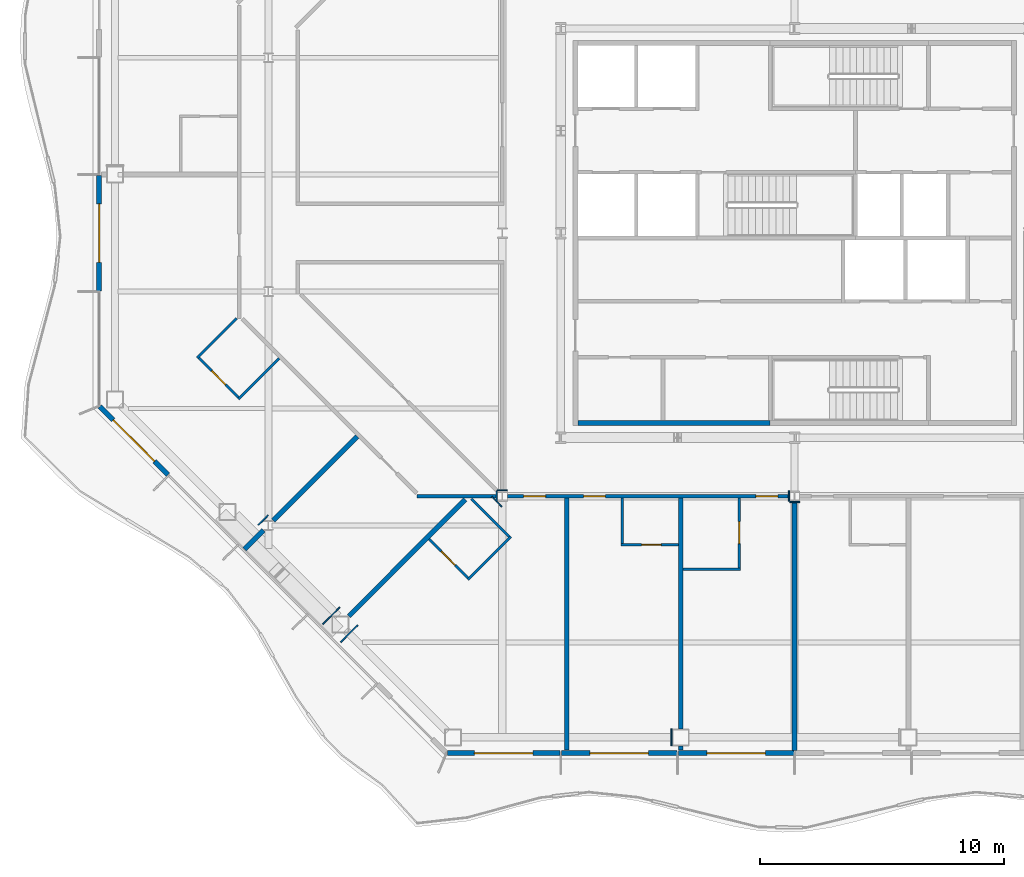
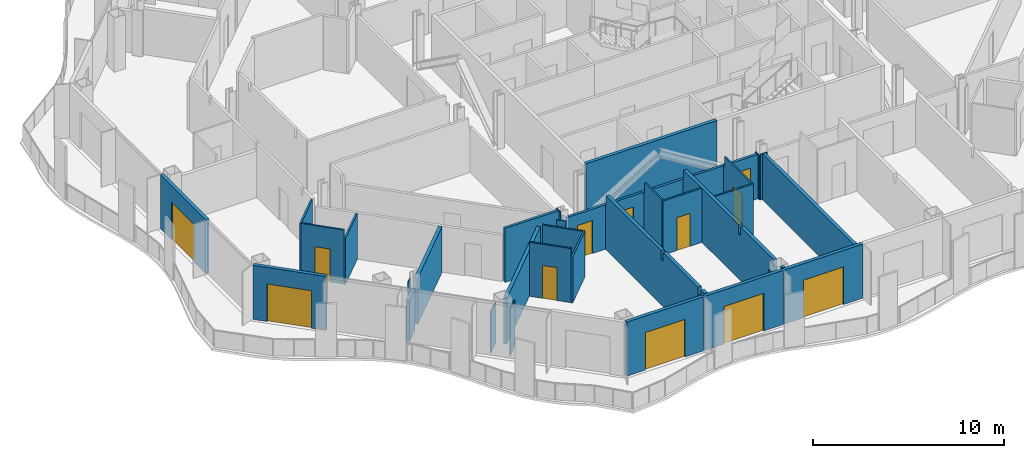
# One storey, part 7 of 21: 34 walls, 12 doors, 12 openings.
"""IFC4 building model written with IfcOpenShell, lengths in metres."""

from ifc_helpers import new_model, si_unit, direction, frame, frame_2d, origin, place, context, subcontext, project, spatial, polyline, rectangle, outline, extrude, material, layer, layer_set, type_object, element, fill, save


model = new_model("IFC4")

# Units and contexts
model_context = context("Model", 3, precision=1e-05, world=origin(), true_north=direction((0.0, 1.0)))
body_context = subcontext(model_context, "Body", "Model", "MODEL_VIEW")
ifc_project = project(units=[si_unit("LENGTHUNIT", "METRE"), si_unit("AREAUNIT", "SQUARE_METRE"), si_unit("VOLUMEUNIT", "CUBIC_METRE"), si_unit("PLANEANGLEUNIT", "RADIAN"), si_unit("MASSUNIT", "GRAM", prefix="KILO")], contexts=[model_context])

# Site, building, storey
site_placement = place(None, origin())
site = spatial("IfcSite", under=ifc_project, at=site_placement, CompositionType="ELEMENT")
building_placement = place(site_placement, origin())
building = spatial("IfcBuilding", under=site, at=building_placement, Name="Cairn Pilgrim Tower", CompositionType="ELEMENT")
storey_placement = place(building_placement, frame((0.0, 0.0, 143.39990234375)))
storey = spatial("IfcBuildingStorey", under=building, at=storey_placement, Name="L35", CompositionType="ELEMENT", Elevation=143.39990234375)

# Wall, opening, door
ifc_material_1 = material(Name="Bronze anodised aluminium insulated sandwich panel with mineral wool fill", Category="aluminium")
ifc_layer_1 = layer(ifc_material_1, 0.199951171875)
ifc_layer_set_1 = layer_set([ifc_layer_1], Name="BRONZE INFILL FRAME WALL 200")
wall_type_1 = type_object("IfcWallType", Name="BRONZE INFILL FRAME WALL 200", PredefinedType="NOTDEFINED", material=ifc_layer_set_1)
wall_1_placement = place(storey_placement, frame((-7.056396484375, -18.949951171875, 0.0), z_axis=(0.0, 0.0, 1.0), x_axis=(1.0, 0.0, 0.0)))
wall_1 = element("IfcWall", 1, at=wall_1_placement, inside=storey, type_object=wall_type_1, Name="Bronze infill frame wall IW-S1", PredefinedType="NOTDEFINED", context=body_context, shape_type="SweptSolid", body=[
    extrude(rectangle(XDim=4.62646484375, YDim=0.199951171875, at=frame_2d((2.313232421875, 0.0))), origin(), (0.0, 0.0, 1.0), 3.4501953125),
])
opening_1_placement = place(wall_1_placement, frame((1.1083984375, 0.0, 0.0)))
opening_1 = element("IfcOpeningElement", 2, at=opening_1_placement, cuts=wall_1, Name="Opening 3520B", PredefinedType="OPENING", context=body_context, shape_type="SweptSolid", body=[
    extrude(rectangle(XDim=2.39990234375, YDim=2.39990234375, at=frame_2d((1.199951171875, 1.199951171875))), frame((0.0, 0.10986328125, 0.0), z_axis=(0.0, -1.0, 0.0), x_axis=(1.0, 0.0, 0.0)), (0.0, 0.0, 1.0), 0.219970703125),
])
ifc_material_2 = material(Name="Bronze anodised aluminium frame with tinted low-E glass", Category="aluminium")
door_type_1 = type_object("IfcDoorType", Name="BALCONY SLIDING DOOR 2400x2400", OperationType="DOUBLE_DOOR_SLIDING", PredefinedType="DOOR", material=ifc_material_2)
door_1_placement = place(opening_1_placement, origin())
door_1 = element("IfcDoor", 3, at=door_1_placement, inside=storey, type_object=door_type_1, Name="Balcony sliding door 3520B", OperationType="SINGLE_SWING_LEFT", OverallHeight=2.39990234375, OverallWidth=2.39990234375, PredefinedType="DOOR", context=body_context, shape_type="SweptSolid", body=[
    extrude(rectangle(XDim=2.39990234375, YDim=2.39990234375, at=frame_2d((1.199951171875, 1.199951171875))), frame((0.0, 0.02490234375, 0.0), z_axis=(0.0, -1.0, 0.0), x_axis=(1.0, 0.0, 0.0)), (0.0, 0.0, 1.0), 0.050048828125),
])
fill(opening_1, door_1)

wall_2_placement = place(storey_placement, frame((-2.3701171875, -18.949951171875, 0.0), z_axis=(0.0, 0.0, 1.0), x_axis=(1.0, 0.0, 0.0)))
wall_2 = element("IfcWall", 4, at=wall_2_placement, inside=storey, type_object=wall_type_1, Name="Bronze infill frame wall IW-S2", PredefinedType="NOTDEFINED", context=body_context, shape_type="SweptSolid", body=[
    extrude(rectangle(XDim=4.740234375, YDim=0.199951171875, at=frame_2d((2.3701171875, 0.0))), origin(), (0.0, 0.0, 1.0), 3.4501953125),
])
opening_2_placement = place(wall_2_placement, frame((1.16943359375, 0.0, 0.0)))
opening_2 = element("IfcOpeningElement", 5, at=opening_2_placement, cuts=wall_2, Name="Opening 3521B", PredefinedType="OPENING", context=body_context, shape_type="SweptSolid", body=[
    extrude(rectangle(XDim=2.39990234375, YDim=2.39990234375, at=frame_2d((1.199951171875, 1.199951171875))), frame((0.0, 0.10986328125, 0.0), z_axis=(0.0, -1.0, 0.0), x_axis=(1.0, 0.0, 0.0)), (0.0, 0.0, 1.0), 0.219970703125),
])
door_2_placement = place(opening_2_placement, origin())
door_2 = element("IfcDoor", 6, at=door_2_placement, inside=storey, type_object=door_type_1, Name="Balcony sliding door 3521B", OperationType="SINGLE_SWING_LEFT", OverallHeight=2.39990234375, OverallWidth=2.39990234375, PredefinedType="DOOR", context=body_context, shape_type="SweptSolid", body=[
    extrude(rectangle(XDim=2.39990234375, YDim=2.39990234375, at=frame_2d((1.199951171875, 1.199951171875))), frame((0.0, 0.02490234375, 0.0), z_axis=(0.0, -1.0, 0.0), x_axis=(1.0, 0.0, 0.0)), (0.0, 0.0, 1.0), 0.050048828125),
])
fill(opening_2, door_2)

wall_3_placement = place(storey_placement, frame((2.429931640625, -18.949951171875, 0.0), z_axis=(0.0, 0.0, 1.0), x_axis=(1.0, 0.0, 0.0)))
wall_3 = element("IfcWall", 7, at=wall_3_placement, inside=storey, type_object=wall_type_1, Name="Bronze infill frame wall IW-S3", PredefinedType="NOTDEFINED", context=body_context, shape_type="SweptSolid", body=[
    extrude(rectangle(XDim=4.739990234375, YDim=0.199951171875, at=frame_2d((2.3701171875, 0.0))), origin(), (0.0, 0.0, 1.0), 3.4501953125),
])
opening_3_placement = place(wall_3_placement, frame((1.17041015625, 0.0, 0.0)))
opening_3 = element("IfcOpeningElement", 8, at=opening_3_placement, cuts=wall_3, Name="Opening 3522B", PredefinedType="OPENING", context=body_context, shape_type="SweptSolid", body=[
    extrude(rectangle(XDim=2.39990234375, YDim=2.39990234375, at=frame_2d((1.199951171875, 1.199951171875))), frame((0.0, 0.10986328125, 0.0), z_axis=(0.0, -1.0, 0.0), x_axis=(1.0, 0.0, 0.0)), (0.0, 0.0, 1.0), 0.219970703125),
])
door_3_placement = place(opening_3_placement, origin())
door_3 = element("IfcDoor", 9, at=door_3_placement, inside=storey, type_object=door_type_1, Name="Balcony sliding door 3522B", OperationType="SINGLE_SWING_LEFT", OverallHeight=2.39990234375, OverallWidth=2.39990234375, PredefinedType="DOOR", context=body_context, shape_type="SweptSolid", body=[
    extrude(rectangle(XDim=2.39990234375, YDim=2.39990234375, at=frame_2d((1.199951171875, 1.199951171875))), frame((0.0, 0.02490234375, 0.0), z_axis=(0.0, -1.0, 0.0), x_axis=(1.0, 0.0, 0.0)), (0.0, 0.0, 1.0), 0.050048828125),
])
fill(opening_3, door_3)

wall_4_placement = place(storey_placement, frame((-21.35009765625, 4.77001953125, 0.0), z_axis=(0.0, 0.0, 1.0), x_axis=(0.0, -1.0, 0.0)))
wall_4 = element("IfcWall", 10, at=wall_4_placement, inside=storey, type_object=wall_type_1, Name="Bronze infill frame wall IW-W3", PredefinedType="NOTDEFINED", context=body_context, shape_type="SweptSolid", body=[
    extrude(rectangle(XDim=4.739990234375, YDim=0.199951171875, at=frame_2d((2.3701171875, 0.0))), origin(), (0.0, 0.0, 1.0), 3.4501953125),
])
opening_4_placement = place(wall_4_placement, frame((1.169921875, 0.0, 0.0)))
opening_4 = element("IfcOpeningElement", 11, at=opening_4_placement, cuts=wall_4, Name="Opening 3518B", PredefinedType="OPENING", context=body_context, shape_type="SweptSolid", body=[
    extrude(rectangle(XDim=2.39990234375, YDim=2.39990234375, at=frame_2d((1.199951171875, 1.199951171875))), frame((0.0, 0.10986328125, 0.0), z_axis=(0.0, -1.0, 0.0), x_axis=(1.0, 0.0, 0.0)), (0.0, 0.0, 1.0), 0.219970703125),
])
door_4_placement = place(opening_4_placement, origin())
door_4 = element("IfcDoor", 12, at=door_4_placement, inside=storey, type_object=door_type_1, Name="Balcony sliding door 3518B", OperationType="SINGLE_SWING_LEFT", OverallHeight=2.39990234375, OverallWidth=2.39990234375, PredefinedType="DOOR", context=body_context, shape_type="SweptSolid", body=[
    extrude(rectangle(XDim=2.39990234375, YDim=2.39990234375, at=frame_2d((1.199951171875, 1.199951171875))), frame((0.0, 0.02490234375, 0.0), z_axis=(0.0, -1.0, 0.0), x_axis=(1.0, 0.0, 0.0)), (0.0, 0.0, 1.0), 0.050048828125),
])
fill(opening_4, door_4)

wall_5_placement = place(storey_placement, frame((-21.32177734375, -4.724609375, 0.0), z_axis=(0.0, 0.0, 1.0), x_axis=(0.707106781187, -0.707106781187, 0.0)))
wall_5 = element("IfcWall", 13, at=wall_5_placement, inside=storey, type_object=wall_type_1, Name="Bronze infill frame wall IW-SW1", PredefinedType="NOTDEFINED", context=body_context, shape_type="SweptSolid", body=[
    extrude(rectangle(XDim=3.961669921875, YDim=0.199951171875, at=frame_2d((1.98095703125, 0.0))), origin(), (0.0, 0.0, 1.0), 3.4501953125),
])
opening_5_placement = place(wall_5_placement, frame((0.775390625, 0.0, 0.0)))
opening_5 = element("IfcOpeningElement", 14, at=opening_5_placement, cuts=wall_5, Name="Opening 3518B2", PredefinedType="OPENING", context=body_context, shape_type="SweptSolid", body=[
    extrude(rectangle(XDim=2.39990234375, YDim=2.39990234375, at=frame_2d((1.199951171875, 1.199951171875))), frame((0.0, 0.10986328125, 0.0), z_axis=(0.0, -1.0, 0.0), x_axis=(1.0, 0.0, 0.0)), (0.0, 0.0, 1.0), 0.219970703125),
])
door_5_placement = place(opening_5_placement, origin())
door_5 = element("IfcDoor", 15, at=door_5_placement, inside=storey, type_object=door_type_1, Name="Balcony sliding door 3518B2", OperationType="SINGLE_SWING_LEFT", OverallHeight=2.39990234375, OverallWidth=2.39990234375, PredefinedType="DOOR", context=body_context, shape_type="SweptSolid", body=[
    extrude(rectangle(XDim=2.39990234375, YDim=2.39990234375, at=frame_2d((1.199951171875, 1.199951171875))), frame((0.0, 0.02490234375, 0.0), z_axis=(0.0, -1.0, 0.0), x_axis=(1.0, 0.0, 0.0)), (0.0, 0.0, 1.0), 0.050048828125),
])
fill(opening_5, door_5)

# Wall
ifc_material_3 = material(Name="Concrete C32/40", Category="concrete")
ifc_layer_2 = layer(ifc_material_3, 0.199951171875)
ifc_layer_set_2 = layer_set([ifc_layer_2], Name="CORE OUTER WALL 200 EI 120")
wall_type_2 = type_object("IfcWallType", Name="CORE OUTER WALL 200 EI 120", PredefinedType="SOLIDWALL", material=ifc_layer_set_2)
wall_6_placement = place(storey_placement, frame((-1.699951171875, -5.39990234375, 0.0), z_axis=(0.0, 0.0, 1.0), x_axis=(1.0, 0.0, 0.0)))
element("IfcWall", 16, at=wall_6_placement, inside=storey, type_object=wall_type_2, Name="CW:L35:H01-1", PredefinedType="SOLIDWALL", context=body_context, shape_type="SweptSolid", body=[
    extrude(rectangle(XDim=7.89990234375, YDim=0.199951171875, at=frame_2d((3.949951171875, 0.0))), origin(), (0.0, 0.0, 1.0), 3.4501953125),
])

# Wall, opening, door
ifc_material_4 = material(Name="Gypsum partition")
ifc_layer_3 = layer(ifc_material_4, 0.10009765625)
ifc_layer_set_3 = layer_set([ifc_layer_3], Name="PARTITION 100 DRYWALL")
wall_type_3 = type_object("IfcWallType", Name="PARTITION 100 DRYWALL", PredefinedType="PARTITIONING", material=ifc_layer_set_3)
wall_7_placement = place(storey_placement, frame((-6.21142578125, -11.758544921875, 0.0), z_axis=(0.0, 0.0, 1.0), x_axis=(-0.707106781187, 0.707106781187, 0.0)))
wall_7 = element("IfcWall", 17, at=wall_7_placement, inside=storey, type_object=wall_type_3, Name="PARTITION W010", PredefinedType="PARTITIONING", context=body_context, shape_type="SweptSolid", body=[
    extrude(rectangle(XDim=2.249755859375, YDim=0.10009765625, at=frame_2d((1.125, 0.0))), origin(), (0.0, 0.0, 1.0), 3.4501953125),
])
opening_6_placement = place(wall_7_placement, frame((0.75, 0.0, 0.0)))
opening_6 = element("IfcOpeningElement", 18, at=opening_6_placement, cuts=wall_7, Name="Opening 3520A", PredefinedType="OPENING", context=body_context, shape_type="SweptSolid", body=[
    extrude(rectangle(XDim=0.800048828125, YDim=2.10009765625, at=frame_2d((0.39990234375, 1.050048828125))), frame((0.0, 0.06005859375, 0.0), z_axis=(0.0, -1.0, 0.0), x_axis=(1.0, 0.0, 0.0)), (0.0, 0.0, 1.0), 0.1201171875),
])
ifc_material_5 = material(Name="Timber door leaf", Category="wood")
door_type_2 = type_object("IfcDoorType", Name="WC DOOR 800x2100", OperationType="NOTDEFINED", PredefinedType="DOOR", material=ifc_material_5)
door_6_placement = place(opening_6_placement, origin())
door_6 = element("IfcDoor", 19, at=door_6_placement, inside=storey, type_object=door_type_2, Name="DOOR 3520A", OperationType="SINGLE_SWING_LEFT", OverallHeight=2.10009765625, OverallWidth=0.800048828125, PredefinedType="DOOR", context=body_context, shape_type="SweptSolid", body=[
    extrude(rectangle(XDim=0.800048828125, YDim=2.10009765625, at=frame_2d((0.39990234375, 1.050048828125))), frame((0.0, 0.02490234375, 0.0), z_axis=(0.0, -1.0, 0.0), x_axis=(1.0, 0.0, 0.0)), (0.0, 0.0, 1.0), 0.050048828125),
])
fill(opening_6, door_6)

# Walls
wall_8_placement = place(storey_placement, frame((-6.21142578125, -11.829345703125, 0.0), z_axis=(0.0, 0.0, 1.0), x_axis=(0.707155609469, 0.707057949532, 0.0)))
element("IfcWall", 20, at=wall_8_placement, inside=storey, type_object=wall_type_3, Name="PARTITION W011", PredefinedType="PARTITIONING", context=body_context, shape_type="SweptSolid", body=[
    extrude(rectangle(XDim=2.5, YDim=0.10009765625, at=frame_2d((1.25, 0.0))), origin(), (0.0, 0.0, 1.0), 2.93017578125),
])
wall_9_placement = place(storey_placement, frame((2.6240234375, -11.39990234375, 0.0), z_axis=(0.0, 0.0, 1.0), x_axis=(1.0, 0.0, 0.0)))
element("IfcWall", 21, at=wall_9_placement, inside=storey, type_object=wall_type_3, Name="PARTITION W014", PredefinedType="PARTITIONING", context=body_context, shape_type="SweptSolid", body=[
    extrude(rectangle(XDim=2.35009765625, YDim=0.10009765625, at=frame_2d((1.175048828125, 0.0))), origin(), (0.0, 0.0, 1.0), 3.4501953125),
])

# Wall, opening, door
wall_10_placement = place(storey_placement, frame((4.924072265625, -11.35009765625, 0.0), z_axis=(0.0, 0.0, 1.0), x_axis=(0.0, 1.0, 0.0)))
wall_10 = element("IfcWall", 22, at=wall_10_placement, inside=storey, type_object=wall_type_3, Name="PARTITION W015", PredefinedType="PARTITIONING", context=body_context, shape_type="SweptSolid", body=[
    extrude(outline(polyline([(0.0, 0.0), (2.875, 0.0), (2.875, 2.830078125), (2.800048828125, 2.830078125), (2.798095703125, 3.4501953125), (0.0, 3.4501953125), (0.0, 0.0)])), frame((0.0, 0.050048828125, 0.0), z_axis=(0.0, -1.0, 0.0), x_axis=(1.0, 0.0, 0.0)), (0.0, 0.0, 1.0), 0.10009765625),
])
opening_7_placement = place(wall_10_placement, frame((1.0, 0.0, 0.0)))
opening_7 = element("IfcOpeningElement", 23, at=opening_7_placement, cuts=wall_10, Name="Opening 3522A", PredefinedType="OPENING", context=body_context, shape_type="SweptSolid", body=[
    extrude(rectangle(XDim=0.89990234375, YDim=2.10009765625, at=frame_2d((0.449951171875, 1.050048828125))), frame((0.0, 0.06005859375, 0.0), z_axis=(0.0, -1.0, 0.0), x_axis=(1.0, 0.0, 0.0)), (0.0, 0.0, 1.0), 0.1201171875),
])
door_type_3 = type_object("IfcDoorType", Name="WC DOOR 900x2100", OperationType="NOTDEFINED", PredefinedType="DOOR", material=ifc_material_5)
door_7_placement = place(opening_7_placement, frame((0.89990234375, 0.0, 0.0), z_axis=(0.0, 0.0, 1.0), x_axis=(-1.0, 0.0, 0.0)))
door_7 = element("IfcDoor", 24, at=door_7_placement, inside=storey, type_object=door_type_3, Name="DOOR 3522A", OperationType="SINGLE_SWING_LEFT", OverallHeight=2.10009765625, OverallWidth=0.89990234375, PredefinedType="DOOR", context=body_context, shape_type="SweptSolid", body=[
    extrude(rectangle(XDim=0.89990234375, YDim=2.10009765625, at=frame_2d((0.449951171875, 1.050048828125))), frame((0.0, 0.02490234375, 0.0), z_axis=(0.0, -1.0, 0.0), x_axis=(1.0, 0.0, 0.0)), (0.0, 0.0, 1.0), 0.050048828125),
])
fill(opening_7, door_7)

wall_11_placement = place(storey_placement, frame((0.073974609375, -10.39990234375, 0.0), z_axis=(0.0, 0.0, 1.0), x_axis=(1.0, 0.0, 0.0)))
wall_11 = element("IfcWall", 25, at=wall_11_placement, inside=storey, type_object=wall_type_3, Name="PARTITION W017", PredefinedType="PARTITIONING", context=body_context, shape_type="SweptSolid", body=[
    extrude(rectangle(XDim=2.35009765625, YDim=0.10009765625, at=frame_2d((1.175048828125, 0.0))), origin(), (0.0, 0.0, 1.0), 3.4501953125),
])
opening_8_placement = place(wall_11_placement, frame((0.85009765625, 0.0, 0.0)))
opening_8 = element("IfcOpeningElement", 26, at=opening_8_placement, cuts=wall_11, Name="Opening 3521A", PredefinedType="OPENING", context=body_context, shape_type="SweptSolid", body=[
    extrude(rectangle(XDim=0.800048828125, YDim=2.10009765625, at=frame_2d((0.39990234375, 1.050048828125))), frame((0.0, 0.06005859375, 0.0), z_axis=(0.0, -1.0, 0.0), x_axis=(1.0, 0.0, 0.0)), (0.0, 0.0, 1.0), 0.1201171875),
])
door_8_placement = place(opening_8_placement, frame((0.800048828125, 0.0, 0.0), z_axis=(0.0, 0.0, 1.0), x_axis=(-1.0, 0.0, 0.0)))
door_8 = element("IfcDoor", 27, at=door_8_placement, inside=storey, type_object=door_type_2, Name="DOOR 3521A", OperationType="SINGLE_SWING_LEFT", OverallHeight=2.10009765625, OverallWidth=0.800048828125, PredefinedType="DOOR", context=body_context, shape_type="SweptSolid", body=[
    extrude(rectangle(XDim=0.800048828125, YDim=2.10009765625, at=frame_2d((0.39990234375, 1.050048828125))), frame((0.0, 0.02490234375, 0.0), z_axis=(0.0, -1.0, 0.0), x_axis=(1.0, 0.0, 0.0)), (0.0, 0.0, 1.0), 0.050048828125),
])
fill(opening_8, door_8)

# Walls
wall_12_placement = place(storey_placement, frame((0.1240234375, -10.35009765625, 0.0), z_axis=(0.0, 0.0, 1.0), x_axis=(0.0, 1.0, 0.0)))
element("IfcWall", 28, at=wall_12_placement, inside=storey, type_object=wall_type_3, Name="PARTITION W019", PredefinedType="PARTITIONING", context=body_context, shape_type="SweptSolid", body=[
    extrude(outline(polyline([(0.0, 0.0), (1.875, 0.0), (1.875, 2.830078125), (1.800048828125, 2.830078125), (1.798095703125, 3.4501953125), (0.0, 3.4501953125), (0.0, 0.0)])), frame((0.0, 0.050048828125, 0.0), z_axis=(0.0, -1.0, 0.0), x_axis=(1.0, 0.0, 0.0)), (0.0, 0.0, 1.0), 0.10009765625),
])
wall_13_placement = place(storey_placement, frame((-4.514404296875, -10.0615234375, 0.0), z_axis=(0.0, 0.0, 1.0), x_axis=(-0.707106781187, 0.707106781187, 0.0)))
element("IfcWall", 29, at=wall_13_placement, inside=storey, type_object=wall_type_3, Name="PARTITION W021", PredefinedType="PARTITIONING", context=body_context, shape_type="SweptSolid", body=[
    extrude(rectangle(XDim=2.19384765625, YDim=0.10009765625, at=frame_2d((1.096923828125, 0.0))), origin(), (0.0, 0.0, 1.0), 2.93017578125),
])

# Wall, opening, door
wall_14_placement = place(storey_placement, frame((-15.635498046875, -4.3525390625, 0.0), z_axis=(0.0, 0.0, 1.0), x_axis=(-0.707106781187, 0.707106781187, 0.0)))
wall_14 = element("IfcWall", 30, at=wall_14_placement, inside=storey, type_object=wall_type_3, Name="PARTITION W035", PredefinedType="PARTITIONING", context=body_context, shape_type="SweptSolid", body=[
    extrude(rectangle(XDim=2.2998046875, YDim=0.10009765625, at=frame_2d((1.14990234375, 0.0))), origin(), (0.0, 0.0, 1.0), 3.4501953125),
])
opening_9_placement = place(wall_14_placement, frame((0.75, 0.0, 0.0)))
opening_9 = element("IfcOpeningElement", 31, at=opening_9_placement, cuts=wall_14, Name="Opening 3518A", PredefinedType="OPENING", context=body_context, shape_type="SweptSolid", body=[
    extrude(rectangle(XDim=0.800048828125, YDim=2.10009765625, at=frame_2d((0.39990234375, 1.050048828125))), frame((0.0, 0.06005859375, 0.0), z_axis=(0.0, -1.0, 0.0), x_axis=(1.0, 0.0, 0.0)), (0.0, 0.0, 1.0), 0.1201171875),
])
door_9_placement = place(opening_9_placement, origin())
door_9 = element("IfcDoor", 32, at=door_9_placement, inside=storey, type_object=door_type_2, Name="DOOR 3518A", OperationType="SINGLE_SWING_RIGHT", OverallHeight=2.10009765625, OverallWidth=0.800048828125, PredefinedType="DOOR", context=body_context, shape_type="SweptSolid", body=[
    extrude(rectangle(XDim=0.800048828125, YDim=2.10009765625, at=frame_2d((0.39990234375, 1.050048828125))), frame((0.0, 0.02490234375, 0.0), z_axis=(0.0, -1.0, 0.0), x_axis=(1.0, 0.0, 0.0)), (0.0, 0.0, 1.0), 0.050048828125),
])
fill(opening_9, door_9)

# Walls
wall_15_placement = place(storey_placement, frame((-15.635498046875, -4.42333984375, 0.0), z_axis=(0.0, 0.0, 1.0), x_axis=(0.707106781187, 0.707106781187, 0.0)))
element("IfcWall", 33, at=wall_15_placement, inside=storey, type_object=wall_type_3, Name="PARTITION W036", PredefinedType="PARTITIONING", context=body_context, shape_type="SweptSolid", body=[
    extrude(rectangle(XDim=2.375, YDim=0.10009765625, at=frame_2d((1.1875, 0.0))), origin(), (0.0, 0.0, 1.0), 2.93017578125),
])
wall_16_placement = place(storey_placement, frame((-17.33251953125, -2.726318359375, 0.0), z_axis=(0.0, 0.0, 1.0), x_axis=(0.707159989116, 0.707053569253, 0.0)))
element("IfcWall", 34, at=wall_16_placement, inside=storey, type_object=wall_type_3, Name="PARTITION W039", PredefinedType="PARTITIONING", context=body_context, shape_type="SweptSolid", body=[
    extrude(rectangle(XDim=2.294189453125, YDim=0.10009765625, at=frame_2d((1.14697265625, 0.0))), origin(), (0.0, 0.0, 1.0), 3.4501953125),
])
ifc_layer_4 = layer(ifc_material_4, 0.14990234375)
ifc_layer_set_4 = layer_set([ifc_layer_4], Name="PARTITION 150 DRYWALL EI 60")
wall_type_4 = type_object("IfcWallType", Name="PARTITION 150 DRYWALL EI 60", PredefinedType="PARTITIONING", material=ifc_layer_set_4)
wall_17_placement = place(storey_placement, frame((-8.300048828125, -8.39990234375, 0.0), z_axis=(0.0, 0.0, 1.0), x_axis=(1.0, 0.0, 0.0)))
element("IfcWall", 35, at=wall_17_placement, inside=storey, type_object=wall_type_4, Name="PARTITION W025", PredefinedType="PARTITIONING", context=body_context, shape_type="SweptSolid", body=[
    extrude(rectangle(XDim=3.295654296875, YDim=0.14990234375, at=frame_2d((1.64794921875, 0.0))), origin(), (0.0, 0.0, 1.0), 3.4501953125),
])

# Wall, openings, doors
wall_18_placement = place(storey_placement, frame((-4.595458984375, -8.39990234375, 0.0), z_axis=(0.0, 0.0, 1.0), x_axis=(1.0, 0.0, 0.0)))
wall_18 = element("IfcWall", 36, at=wall_18_placement, inside=storey, type_object=wall_type_4, Name="PARTITION W026", PredefinedType="PARTITIONING", context=body_context, shape_type="SweptSolid", body=[
    extrude(rectangle(XDim=11.591064453125, YDim=0.14990234375, at=frame_2d((5.79541015625, 0.0))), origin(), (0.0, 0.0, 1.0), 2.830078125),
])
opening_10_placement = place(wall_18_placement, frame((0.66943359375, 0.0, 0.0)))
opening_10 = element("IfcOpeningElement", 37, at=opening_10_placement, cuts=wall_18, Name="Opening 3520", PredefinedType="OPENING", context=body_context, shape_type="SweptSolid", body=[
    extrude(rectangle(XDim=0.89990234375, YDim=2.10009765625, at=frame_2d((0.449951171875, 1.050048828125))), frame((0.0, 0.0849609375, 0.0), z_axis=(0.0, -1.0, 0.0), x_axis=(1.0, 0.0, 0.0)), (0.0, 0.0, 1.0), 0.169921875),
])
opening_11_placement = place(wall_18_placement, frame((3.13134765625, 0.0, 0.0)))
opening_11 = element("IfcOpeningElement", 38, at=opening_11_placement, cuts=wall_18, Name="Opening 3521", PredefinedType="OPENING", context=body_context, shape_type="SweptSolid", body=[
    extrude(rectangle(XDim=0.89990234375, YDim=2.10009765625, at=frame_2d((0.449951171875, 1.050048828125))), frame((0.0, 0.0849609375, 0.0), z_axis=(0.0, -1.0, 0.0), x_axis=(1.0, 0.0, 0.0)), (0.0, 0.0, 1.0), 0.169921875),
])
opening_12_placement = place(wall_18_placement, frame((10.20751953125, 0.0, 0.0)))
opening_12 = element("IfcOpeningElement", 39, at=opening_12_placement, cuts=wall_18, Name="Opening 3522", PredefinedType="OPENING", context=body_context, shape_type="SweptSolid", body=[
    extrude(rectangle(XDim=0.89990234375, YDim=2.10009765625, at=frame_2d((0.449951171875, 1.050048828125))), frame((0.0, 0.0849609375, 0.0), z_axis=(0.0, -1.0, 0.0), x_axis=(1.0, 0.0, 0.0)), (0.0, 0.0, 1.0), 0.169921875),
])
door_type_4 = type_object("IfcDoorType", Name="ROOM DOOR 900x2100 FD30S", OperationType="NOTDEFINED", PredefinedType="DOOR", material=ifc_material_5)
door_10_placement = place(opening_10_placement, frame((0.89990234375, 0.0, 0.0), z_axis=(0.0, 0.0, 1.0), x_axis=(-1.0, 0.0, 0.0)))
door_10 = element("IfcDoor", 40, at=door_10_placement, inside=storey, type_object=door_type_4, Name="DOOR 3520", OperationType="SINGLE_SWING_LEFT", OverallHeight=2.10009765625, OverallWidth=0.89990234375, PredefinedType="DOOR", context=body_context, shape_type="SweptSolid", body=[
    extrude(rectangle(XDim=0.89990234375, YDim=2.10009765625, at=frame_2d((0.449951171875, 1.050048828125))), frame((0.0, 0.02490234375, 0.0), z_axis=(0.0, -1.0, 0.0), x_axis=(1.0, 0.0, 0.0)), (0.0, 0.0, 1.0), 0.050048828125),
])
fill(opening_10, door_10)
door_11_placement = place(opening_11_placement, frame((0.89990234375, 0.0, 0.0), z_axis=(0.0, 0.0, 1.0), x_axis=(-1.0, 0.0, 0.0)))
door_11 = element("IfcDoor", 41, at=door_11_placement, inside=storey, type_object=door_type_4, Name="DOOR 3521", OperationType="SINGLE_SWING_LEFT", OverallHeight=2.10009765625, OverallWidth=0.89990234375, PredefinedType="DOOR", context=body_context, shape_type="SweptSolid", body=[
    extrude(rectangle(XDim=0.89990234375, YDim=2.10009765625, at=frame_2d((0.449951171875, 1.050048828125))), frame((0.0, 0.02490234375, 0.0), z_axis=(0.0, -1.0, 0.0), x_axis=(1.0, 0.0, 0.0)), (0.0, 0.0, 1.0), 0.050048828125),
])
fill(opening_11, door_11)
door_12_placement = place(opening_12_placement, frame((0.89990234375, 0.0, 0.0), z_axis=(0.0, 0.0, 1.0), x_axis=(-1.0, 0.0, 0.0)))
door_12 = element("IfcDoor", 42, at=door_12_placement, inside=storey, type_object=door_type_4, Name="DOOR 3522", OperationType="SINGLE_SWING_LEFT", OverallHeight=2.10009765625, OverallWidth=0.89990234375, PredefinedType="DOOR", context=body_context, shape_type="SweptSolid", body=[
    extrude(rectangle(XDim=0.89990234375, YDim=2.10009765625, at=frame_2d((0.449951171875, 1.050048828125))), frame((0.0, 0.02490234375, 0.0), z_axis=(0.0, -1.0, 0.0), x_axis=(1.0, 0.0, 0.0)), (0.0, 0.0, 1.0), 0.050048828125),
])
fill(opening_12, door_12)

# Walls
ifc_layer_5 = layer(ifc_material_4, 0.050048828125)
ifc_layer_set_5 = layer_set([ifc_layer_5], Name="PARTITION 50 DRYWALL EI 60")
wall_type_5 = type_object("IfcWallType", Name="PARTITION 50 DRYWALL EI 60", PredefinedType="PARTITIONING", material=ifc_layer_set_5)
wall_19_placement = place(storey_placement, frame((6.970458984375, -8.612548828125, 0.0), z_axis=(0.0, 0.0, 1.0), x_axis=(0.0, 1.0, 0.0)))
element("IfcWall", 43, at=wall_19_placement, inside=storey, type_object=wall_type_5, Name="COLUMN CASING WC01", PredefinedType="PARTITIONING", context=body_context, shape_type="SweptSolid", body=[
    extrude(rectangle(XDim=0.425048828125, YDim=0.050048828125, at=frame_2d((0.21240234375, 0.0))), origin(), (0.0, 0.0, 1.0), 2.830078125),
])
wall_20_placement = place(storey_placement, frame((2.1494140625, -18.64990234375, 0.0), z_axis=(0.0, 0.0, 1.0), x_axis=(0.0, 1.0, 0.0)))
element("IfcWall", 44, at=wall_20_placement, inside=storey, type_object=wall_type_5, Name="COLUMN CASING WC02", PredefinedType="PARTITIONING", context=body_context, shape_type="SweptSolid", body=[
    extrude(rectangle(XDim=0.699951171875, YDim=0.050048828125, at=frame_2d((0.35009765625, 0.0))), origin(), (0.0, 0.0, 1.0), 2.93017578125),
])
wall_21_placement = place(storey_placement, frame((-12.169189453125, -13.657958984375, 0.0), z_axis=(0.0, 0.0, 1.0), x_axis=(0.707106781187, 0.707106781187, 0.0)))
element("IfcWall", 45, at=wall_21_placement, inside=storey, type_object=wall_type_5, Name="COLUMN CASING WC04", PredefinedType="PARTITIONING", context=body_context, shape_type="SweptSolid", body=[
    extrude(rectangle(XDim=0.989990234375, YDim=0.050048828125, at=frame_2d((0.4951171875, 0.0))), origin(), (0.0, 0.0, 1.0), 2.630126953125),
])
wall_22_placement = place(storey_placement, frame((-11.433837890625, -14.393310546875, 0.0), z_axis=(0.0, 0.0, 1.0), x_axis=(0.707106781187, 0.707106781187, 0.0)))
element("IfcWall", 46, at=wall_22_placement, inside=storey, type_object=wall_type_5, Name="COLUMN CASING WC05", PredefinedType="PARTITIONING", context=body_context, shape_type="SweptSolid", body=[
    extrude(rectangle(XDim=0.989990234375, YDim=0.050048828125, at=frame_2d((0.4951171875, 0.0))), origin(), (0.0, 0.0, 1.0), 2.93017578125),
])
wall_23_placement = place(storey_placement, frame((-14.813720703125, -9.582275390625, 0.0), z_axis=(0.0, 0.0, 1.0), x_axis=(0.707106781187, 0.707106781187, 0.0)))
element("IfcWall", 47, at=wall_23_placement, inside=storey, type_object=wall_type_5, Name="COLUMN CASING WC08", PredefinedType="PARTITIONING", context=body_context, shape_type="SweptSolid", body=[
    extrude(rectangle(XDim=0.56005859375, YDim=0.050048828125, at=frame_2d((0.280029296875, 0.0))), origin(), (0.0, 0.0, 1.0), 2.93017578125),
])
wall_24_placement = place(storey_placement, frame((-5.00439453125, -8.16259765625, 0.0), z_axis=(0.0, 0.0, 1.0), x_axis=(1.0, 0.0, 0.0)))
element("IfcWall", 48, at=wall_24_placement, inside=storey, type_object=wall_type_5, Name="COLUMN CASING WC11", PredefinedType="PARTITIONING", context=body_context, shape_type="SweptSolid", body=[
    extrude(rectangle(XDim=0.408935546875, YDim=0.050048828125, at=frame_2d((0.20458984375, 0.0))), origin(), (0.0, 0.0, 1.0), 2.830078125),
])
wall_25_placement = place(storey_placement, frame((6.99560546875, -8.637451171875, 0.0), z_axis=(0.0, 0.0, 1.0), x_axis=(1.0, 0.0, 0.0)))
element("IfcWall", 49, at=wall_25_placement, inside=storey, type_object=wall_type_5, Name="COLUMN CASING WC12", PredefinedType="PARTITIONING", context=body_context, shape_type="SweptSolid", body=[
    extrude(rectangle(XDim=0.408935546875, YDim=0.050048828125, at=frame_2d((0.20458984375, 0.0))), origin(), (0.0, 0.0, 1.0), 2.93017578125),
])
wall_26_placement = place(storey_placement, frame((-4.817626953125, -8.834716796875, 0.0), z_axis=(0.0, 0.0, 1.0), x_axis=(-0.707106781187, 0.707106781187, 0.0)))
element("IfcWall", 50, at=wall_26_placement, inside=storey, type_object=wall_type_5, Name="COLUMN CASING WC14", PredefinedType="PARTITIONING", context=body_context, shape_type="SweptSolid", body=[
    extrude(rectangle(XDim=0.589599609375, YDim=0.050048828125, at=frame_2d((0.294921875, 0.0))), origin(), (0.0, 0.0, 1.0), 2.93017578125),
])
wall_27_placement = place(storey_placement, frame((-5.029541015625, -8.612548828125, 0.0), z_axis=(0.0, 0.0, 1.0), x_axis=(0.0, 1.0, 0.0)))
element("IfcWall", 51, at=wall_27_placement, inside=storey, type_object=wall_type_5, Name="COLUMN CASING WC15", PredefinedType="PARTITIONING", context=body_context, shape_type="SweptSolid", body=[
    extrude(rectangle(XDim=0.425048828125, YDim=0.050048828125, at=frame_2d((0.21240234375, 0.0))), origin(), (0.0, 0.0, 1.0), 3.4501953125),
])
ifc_layer_6 = layer(ifc_material_4, 0.199951171875)
ifc_layer_set_6 = layer_set([ifc_layer_6], Name="SHAFT WALL 200 GYPSUM EI 60")
wall_type_6 = type_object("IfcWallType", Name="SHAFT WALL 200 GYPSUM EI 60", PredefinedType="PARTITIONING", material=ifc_layer_set_6)
wall_28_placement = place(storey_placement, frame((7.199951171875, -18.85009765625, 0.0), z_axis=(0.0, 0.0, 1.0), x_axis=(0.0, 1.0, 0.0)))
element("IfcWall", 52, at=wall_28_placement, inside=storey, type_object=wall_type_6, Name="PARTITION W001", PredefinedType="PARTITIONING", context=body_context, shape_type="SweptSolid", body=[
    extrude(rectangle(XDim=10.237548828125, YDim=0.199951171875, at=frame_2d((5.11865234375, 0.0))), origin(), (0.0, 0.0, 1.0), 2.93017578125),
])
wall_29_placement = place(storey_placement, frame((-2.152099609375, -18.820068359375, 0.0), z_axis=(0.0, 0.0, 1.0), x_axis=(0.0, 1.0, 0.0)))
element("IfcWall", 53, at=wall_29_placement, inside=storey, type_object=wall_type_6, Name="PARTITION W002", PredefinedType="PARTITIONING", context=body_context, shape_type="SweptSolid", body=[
    extrude(outline(polyline([(0.0, 0.0), (10.344970703125, 0.0), (10.344970703125, 2.830078125), (10.27001953125, 2.830078125), (10.26806640625, 3.4501953125), (4.52490234375, 3.4501953125), (4.52294921875, 2.880126953125), (4.31494140625, 2.880126953125), (4.31298828125, 3.4501953125), (0.669921875, 3.4501953125), (0.66796875, 2.93017578125), (0.3701171875, 2.93017578125), (0.367919921875, 3.4501953125), (0.0, 3.4501953125), (0.0, 0.0)])), frame((0.0, 0.10009765625, 0.0), z_axis=(0.0, -1.0, 0.0), x_axis=(1.0, 0.0, 0.0)), (0.0, 0.0, 1.0), 0.199951171875),
])
wall_30_placement = place(storey_placement, frame((2.52392578125, -18.820068359375, 0.0), z_axis=(0.0, 0.0, 1.0), x_axis=(0.0, 1.0, 0.0)))
element("IfcWall", 54, at=wall_30_placement, inside=storey, type_object=wall_type_6, Name="PARTITION W003", PredefinedType="PARTITIONING", context=body_context, shape_type="SweptSolid", body=[
    extrude(rectangle(XDim=0.170166015625, YDim=0.199951171875, at=frame_2d((0.0849609375, 0.0))), origin(), (0.0, 0.0, 1.0), 3.4501953125),
])
wall_31_placement = place(storey_placement, frame((2.52392578125, -17.949951171875, 0.0), z_axis=(0.0, 0.0, 1.0), x_axis=(0.0, 1.0, 0.0)))
element("IfcWall", 55, at=wall_31_placement, inside=storey, type_object=wall_type_6, Name="PARTITION W006", PredefinedType="PARTITIONING", context=body_context, shape_type="SweptSolid", body=[
    extrude(outline(polyline([(0.0, 0.0), (9.474853515625, 0.0), (9.47509765625, 2.830078125), (9.39990234375, 2.830078125), (9.39794921875, 3.4501953125), (3.655029296875, 3.4501953125), (3.653076171875, 2.880126953125), (3.445068359375, 2.880126953125), (3.443115234375, 3.4501953125), (0.0, 3.4501953125), (0.0, 0.0)])), frame((0.0, 0.10009765625, 0.0), z_axis=(0.0, -1.0, 0.0), x_axis=(1.0, 0.0, 0.0)), (0.0, 0.0, 1.0), 0.199951171875),
])
wall_32_placement = place(storey_placement, frame((-11.1015625, -13.32568359375, 0.0), z_axis=(0.0, 0.0, 1.0), x_axis=(0.707088722709, 0.707124839203, 0.0)))
element("IfcWall", 56, at=wall_32_placement, inside=storey, type_object=wall_type_6, Name="PARTITION W008", PredefinedType="PARTITIONING", context=body_context, shape_type="SweptSolid", body=[
    extrude(rectangle(XDim=6.759765625, YDim=0.199951171875, at=frame_2d((3.3798828125, 0.0))), origin(), (0.0, 0.0, 1.0), 2.93017578125),
])
wall_33_placement = place(storey_placement, frame((-15.380859375, -10.580810546875, 0.0), z_axis=(0.0, 0.0, 1.0), x_axis=(0.707217034054, 0.706996511125, 0.0)))
element("IfcWall", 57, at=wall_33_placement, inside=storey, type_object=wall_type_6, Name="PARTITION W016", PredefinedType="PARTITIONING", context=body_context, shape_type="SweptSolid", body=[
    extrude(rectangle(XDim=1.107177734375, YDim=0.199951171875, at=frame_2d((0.5537109375, 0.0))), origin(), (0.0, 0.0, 1.0), 2.630126953125),
])
wall_34_placement = place(storey_placement, frame((-14.201904296875, -9.402099609375, 0.0), z_axis=(0.0, 0.0, 1.0), x_axis=(0.707081776084, 0.707131785404, 0.0)))
element("IfcWall", 58, at=wall_34_placement, inside=storey, type_object=wall_type_6, Name="PARTITION W023", PredefinedType="PARTITIONING", context=body_context, shape_type="SweptSolid", body=[
    extrude(rectangle(XDim=4.8818359375, YDim=0.199951171875, at=frame_2d((2.44091796875, 0.0))), origin(), (0.0, 0.0, 1.0), 2.93017578125),
])

save(model, "model.ifc")
